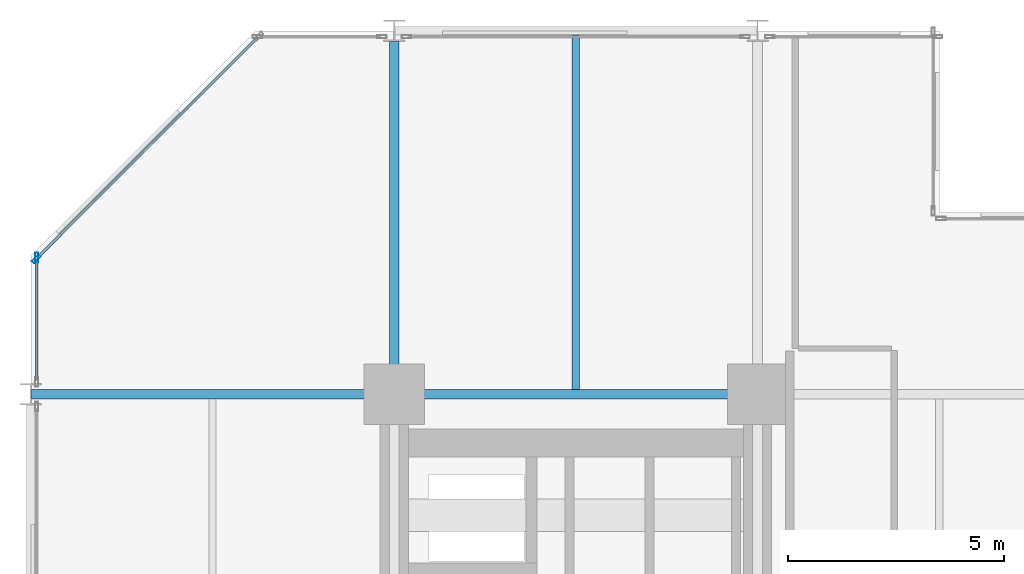
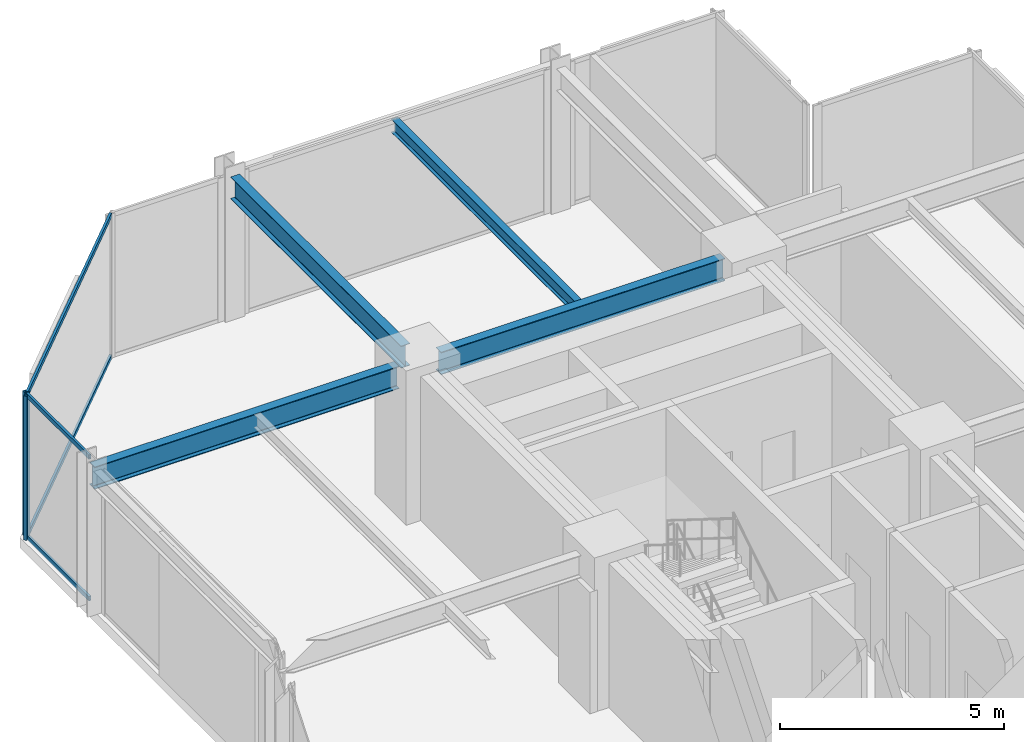
# One storey, part 15 of 24: 6 members, 4 beams, 2 elements without a shape of their own.
"""IFC4 building model written with IfcOpenShell, lengths in metres."""

from ifc_helpers import new_model, si_unit, direction, frame, origin, origin_2d, place, context, subcontext, project, spatial, hollow_rectangle, i_section, extrude, material, layer, layer_set, material_profile, profile_set, type_object, element, aggregate, save


model = new_model("IFC4")

# Units and contexts
model_context = context("Model", 3, precision=1e-05, world=origin(), true_north=direction((0.0, 1.0)))
body_context = subcontext(model_context, "Body", "Model", "MODEL_VIEW")
ifc_project = project(units=[si_unit("LENGTHUNIT", "METRE"), si_unit("AREAUNIT", "SQUARE_METRE"), si_unit("VOLUMEUNIT", "CUBIC_METRE"), si_unit("PLANEANGLEUNIT", "RADIAN"), si_unit("MASSUNIT", "GRAM", prefix="KILO")], contexts=[model_context])

# Site, building, storey
site_placement = place(None, origin())
site = spatial("IfcSite", under=ifc_project, at=site_placement, CompositionType="ELEMENT")
building_placement = place(site_placement, origin())
building = spatial("IfcBuilding", under=site, at=building_placement, Name="Nerrivon Quay Data Exchange", CompositionType="ELEMENT")
storey_placement = place(building_placement, frame((0.0, 0.0, 37.39990234375)))
storey = spatial("IfcBuildingStorey", under=building, at=storey_placement, Name="L08", CompositionType="ELEMENT", Elevation=37.39990234375)

# Beams
ifc_material_1 = material(Name="Steel Grade 350", Category="steel")
ifc_material_profile_1 = material_profile(ifc_material_1, i_section(OverallWidth=0.22900390625, OverallDepth=0.612060546875, WebThickness=0.011962890625, FlangeThickness=0.01953125, FilletRadius=0.013916015625, at=origin_2d()), Name="610UB125")
ifc_profile_set_1 = profile_set([ifc_material_profile_1], Name="Steel Grade 350")
beam_type_1 = type_object("IfcBeamType", Name="BM-G1-610UB125", PredefinedType="BEAM", material=ifc_profile_set_1)
beam_1_placement = place(storey_placement, frame((0.013916015625, 42.0, 3.619140625), z_axis=(1.0, 0.0, 0.0), x_axis=(0.0, 1.0, 0.0)))
element("IfcBeam", 1, at=beam_1_placement, inside=storey, type_object=beam_type_1, Name="L08 EW Girder Y=42.0 (0.0..8.4)", PredefinedType="BEAM", context=body_context, shape_type="SweptSolid", body=[
    extrude(i_section(OverallWidth=0.22900390625, OverallDepth=0.612060546875, WebThickness=0.011962890625, FlangeThickness=0.01953125, FilletRadius=0.013916015625, at=origin_2d()), origin(), (0.0, 0.0, 1.0), 7.84619140625),
])
beam_2_placement = place(storey_placement, frame((8.93994140625, 42.0, 3.619140625), z_axis=(1.0, 0.0, 0.0), x_axis=(0.0, 1.0, 0.0)))
element("IfcBeam", 2, at=beam_2_placement, inside=storey, type_object=beam_type_1, Name="L08 EW Girder Y=42.0 (8.4..16.8)", PredefinedType="BEAM", context=body_context, shape_type="SweptSolid", body=[
    extrude(i_section(OverallWidth=0.22900390625, OverallDepth=0.612060546875, WebThickness=0.011962890625, FlangeThickness=0.01953125, FilletRadius=0.013916015625, at=origin_2d()), origin(), (0.0, 0.0, 1.0), 7.320068359375),
])
ifc_material_profile_2 = material_profile(ifc_material_1, i_section(OverallWidth=0.22802734375, OverallDepth=0.60205078125, WebThickness=0.010498046875, FlangeThickness=0.014892578125, FilletRadius=0.013916015625, at=origin_2d()), Name="610UB101")
ifc_profile_set_2 = profile_set([ifc_material_profile_2], Name="Steel Grade 350")
beam_type_2 = type_object("IfcBeamType", Name="BM-G2-610UB101", PredefinedType="BEAM", material=ifc_profile_set_2)
beam_3_placement = place(storey_placement, frame((8.39990234375, 42.5400390625, 3.6240234375), z_axis=(0.0, 1.0, 0.0), x_axis=(-1.0, 0.0, 0.0)))
element("IfcBeam", 3, at=beam_3_placement, inside=storey, type_object=beam_type_2, Name="L08 NS Girder X=8.4 (42.0..50.4)", PredefinedType="BEAM", context=body_context, shape_type="SweptSolid", body=[
    extrude(i_section(OverallWidth=0.22802734375, OverallDepth=0.60205078125, WebThickness=0.010498046875, FlangeThickness=0.014892578125, FilletRadius=0.013916015625, at=origin_2d()), origin(), (0.0, 0.0, 1.0), 7.60986328125),
])
ifc_material_profile_3 = material_profile(ifc_material_1, i_section(OverallWidth=0.172119140625, OverallDepth=0.35888671875, WebThickness=0.008056640625, FlangeThickness=0.012939453125, FilletRadius=0.011474609375, at=origin_2d()), Name="360UB56.7")
ifc_profile_set_3 = profile_set([ifc_material_profile_3], Name="Steel Grade 350")
beam_type_3 = type_object("IfcBeamType", Name="BM-J3-360UB57", PredefinedType="JOIST", material=ifc_profile_set_3)
beam_4_placement = place(storey_placement, frame((12.60009765625, 42.114501953125, 3.74560546875), z_axis=(0.0, 1.0, 0.0), x_axis=(-1.0, 0.0, 0.0)))
element("IfcBeam", 4, at=beam_4_placement, inside=storey, type_object=beam_type_3, Name="L08 Secondary Joist X=12.6 (42.0..50.4)", PredefinedType="JOIST", context=body_context, shape_type="SweptSolid", body=[
    extrude(i_section(OverallWidth=0.172119140625, OverallDepth=0.35888671875, WebThickness=0.008056640625, FlangeThickness=0.012939453125, FilletRadius=0.011474609375, at=origin_2d()), origin(), (0.0, 0.0, 1.0), 8.1904296875),
])

# Curtain wall, member
ifc_material_2 = material(Name="Anodised aluminium 6063-T6", Category="aluminium")
ifc_layer = layer(ifc_material_2, 0.219970703125)
ifc_layer_set = layer_set([ifc_layer], Name="Anodised aluminium 6063-T6")
curtain_wall_type = type_object("IfcCurtainWallType", Name="CW-SYS-01", PredefinedType="NOTDEFINED", material=ifc_layer_set)
curtain_wall_1_placement = place(storey_placement, origin())
curtain_wall_1 = element("IfcCurtainWall", 5, at=curtain_wall_1_placement, inside=storey, type_object=curtain_wall_type, Name="L08 Unitised Curtain Wall 18", PredefinedType="NOTDEFINED")
ifc_material_profile_4 = material_profile(ifc_material_2, hollow_rectangle(XDim=0.074951171875, YDim=0.219970703125, WallThickness=0.00390625, at=origin_2d()), Name="ALU-MULL-220x75")
ifc_profile_set_4 = profile_set([ifc_material_profile_4], Name="Anodised aluminium 6063-T6")
member_type_1 = type_object("IfcMemberType", Name="CWM-220x75", PredefinedType="MULLION", material=ifc_profile_set_4)
member_1_placement = place(storey_placement, frame((0.139892578125, 45.16259765625, 0.0), z_axis=(0.0, 0.0, 1.0), x_axis=(-1.0, 0.0, 0.0)))
member_1 = element("IfcMember", 6, at=member_1_placement, type_object=member_type_1, Name="CW01 mullion 2", PredefinedType="MULLION", context=body_context, shape_type="SweptSolid", body=[
    extrude(hollow_rectangle(XDim=0.074951171875, YDim=0.219970703125, WallThickness=0.00390625, at=origin_2d()), origin(), (0.0, 0.0, 1.0), 3.925048828125),
])

curtain_wall_2_placement = place(storey_placement, origin())
curtain_wall_2 = element("IfcCurtainWall", 7, at=curtain_wall_2_placement, inside=storey, type_object=curtain_wall_type, Name="L08 Unitised Curtain Wall 19", PredefinedType="NOTDEFINED")
member_2_placement = place(storey_placement, frame((0.12548828125, 45.12744140625, 0.0), z_axis=(0.0, 0.0, 1.0), x_axis=(-0.707106781187, 0.707106781187, 0.0)))
member_2 = element("IfcMember", 8, at=member_2_placement, type_object=member_type_1, Name="CW01 mullion 1", PredefinedType="MULLION", context=body_context, shape_type="SweptSolid", body=[
    extrude(hollow_rectangle(XDim=0.074951171875, YDim=0.219970703125, WallThickness=0.00390625, at=origin_2d()), origin(), (0.0, 0.0, 1.0), 3.925048828125),
])

# Member
ifc_material_profile_5 = material_profile(ifc_material_2, hollow_rectangle(XDim=0.06005859375, YDim=0.1201171875, WallThickness=0.003173828125, at=origin_2d()), Name="ALU-TRAN-120x60")
ifc_profile_set_5 = profile_set([ifc_material_profile_5], Name="Anodised aluminium 6063-T6")
member_type_2 = type_object("IfcMemberType", Name="CWT-120x60", PredefinedType="USERDEFINED", material=ifc_profile_set_5)
member_3_placement = place(storey_placement, frame((0.139892578125, 42.324951171875, 0.03271484375), z_axis=(0.0, 1.0, 0.0), x_axis=(-1.0, 0.0, 0.0)))
member_3 = element("IfcMember", 9, at=member_3_placement, type_object=member_type_2, Name="CW01 transom 1.1", ObjectType="TRANSOM", PredefinedType="USERDEFINED", context=body_context, shape_type="SweptSolid", body=[
    extrude(hollow_rectangle(XDim=0.06005859375, YDim=0.1201171875, WallThickness=0.003173828125, at=origin_2d()), origin(), (0.0, 0.0, 1.0), 2.800048828125),
])

member_4_placement = place(storey_placement, frame((0.139892578125, 42.324951171875, 3.892578125), z_axis=(0.0, 1.0, 0.0), x_axis=(-1.0, 0.0, 0.0)))
member_4 = element("IfcMember", 10, at=member_4_placement, type_object=member_type_2, Name="CW01 transom 1.2", ObjectType="TRANSOM", PredefinedType="USERDEFINED", context=body_context, shape_type="SweptSolid", body=[
    extrude(hollow_rectangle(XDim=0.06005859375, YDim=0.1201171875, WallThickness=0.003173828125, at=origin_2d()), origin(), (0.0, 0.0, 1.0), 2.800048828125),
])

aggregate(curtain_wall_1, [member_1, member_3, member_4])

member_5_placement = place(storey_placement, frame((0.152099609375, 45.154052734375, 0.03271484375), z_axis=(0.707089835771, 0.707123726196, 0.0), x_axis=(-0.707123726196, 0.707089835771, 0.0)))
member_5 = element("IfcMember", 11, at=member_5_placement, type_object=member_type_2, Name="CW01 transom 1.1", ObjectType="TRANSOM", PredefinedType="USERDEFINED", context=body_context, shape_type="SweptSolid", body=[
    extrude(hollow_rectangle(XDim=0.06005859375, YDim=0.1201171875, WallThickness=0.003173828125, at=origin_2d()), origin(), (0.0, 0.0, 1.0), 7.203857421875),
])

member_6_placement = place(storey_placement, frame((0.152099609375, 45.154052734375, 3.892578125), z_axis=(0.707089835771, 0.707123726196, 0.0), x_axis=(-0.707123726196, 0.707089835771, 0.0)))
member_6 = element("IfcMember", 12, at=member_6_placement, type_object=member_type_2, Name="CW01 transom 1.2", ObjectType="TRANSOM", PredefinedType="USERDEFINED", context=body_context, shape_type="SweptSolid", body=[
    extrude(hollow_rectangle(XDim=0.06005859375, YDim=0.1201171875, WallThickness=0.003173828125, at=origin_2d()), origin(), (0.0, 0.0, 1.0), 7.203857421875),
])

aggregate(curtain_wall_2, [member_2, member_5, member_6])

save(model, "model.ifc")
